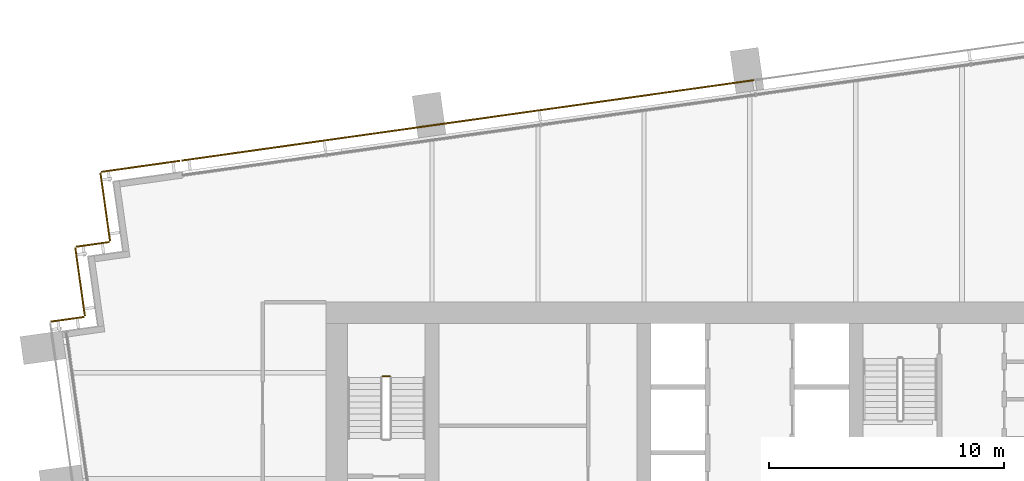
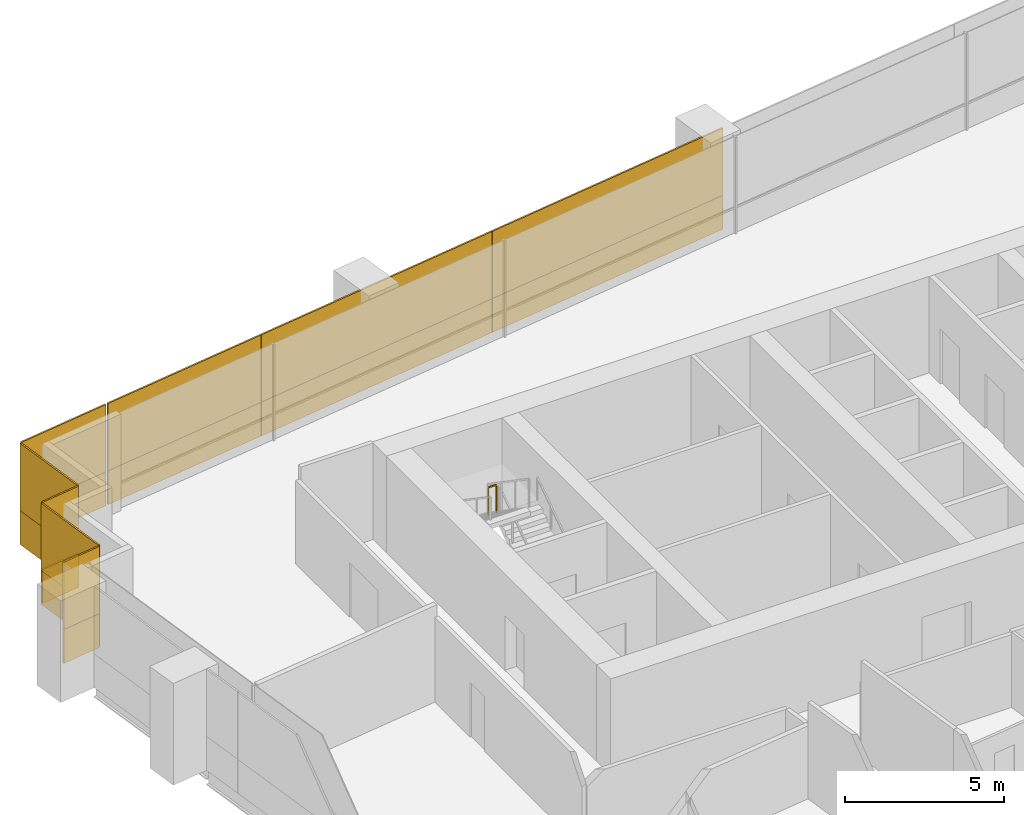
# One storey, part 17 of 18: 16 coverings, 1 railing.
"""IFC4 building model written with IfcOpenShell, lengths in metres."""

from ifc_helpers import new_model, si_unit, direction, frame, origin, origin_2d, place, context, subcontext, project, spatial, rectangle, extrude, material, layer, layer_set, type_object, element, save


model = new_model("IFC4")

# Units and contexts
model_context = context("Model", 3, precision=1e-05, world=origin(), true_north=direction((0.0, 1.0)))
body_context = subcontext(model_context, "Body", "Model", "MODEL_VIEW")
ifc_project = project(units=[si_unit("LENGTHUNIT", "METRE"), si_unit("AREAUNIT", "SQUARE_METRE"), si_unit("VOLUMEUNIT", "CUBIC_METRE"), si_unit("PLANEANGLEUNIT", "RADIAN"), si_unit("MASSUNIT", "GRAM", prefix="KILO")], contexts=[model_context])

# Site, building, storey
site_placement = place(None, origin())
site = spatial("IfcSite", under=ifc_project, at=site_placement, CompositionType="ELEMENT")
building_placement = place(site_placement, origin())
building = spatial("IfcBuilding", under=site, at=building_placement, Name="Rattan Terrace Tower", CompositionType="ELEMENT")
storey_placement = place(building_placement, frame((0.0, 0.0, 188.0)))
storey = spatial("IfcBuildingStorey", under=building, at=storey_placement, Name="L43", CompositionType="ELEMENT", Elevation=188.0)

# Railing
ifc_material_1 = material(Name="Powder-coated steel guard", Category="steel")
railing_type = type_object("IfcRailingType", Name="Core stair guard", PredefinedType="GUARDRAIL", material=ifc_material_1)
railing_placement = place(storey_placement, frame((-15.300048828125, 4.35009765625, 1.949951171875)))
element("IfcRailing", 1, at=railing_placement, inside=storey, type_object=railing_type, Name="L43 S1 stair guard 2", PredefinedType="GUARDRAIL", context=body_context, shape_type="SweptSolid", body=[
    extrude(rectangle(XDim=0.048095703125, YDim=0.048095703125, at=origin_2d()), frame((0.0, 0.0, 1.076171875), z_axis=(-1.0, 0.0, 0.0), x_axis=(0.0, -1.0, 0.0)), (0.0, 0.0, 1.0), 0.300048828125),
    extrude(rectangle(XDim=0.0419921875, YDim=0.0419921875, at=origin_2d()), origin(), (0.0, 0.0, 1.0), 1.052001953125),
    extrude(rectangle(XDim=0.0419921875, YDim=0.0419921875, at=origin_2d()), frame((-0.300048828125, 0.0, 0.0)), (0.0, 0.0, 1.0), 1.052001953125),
])

# Coverings
ifc_material_2 = material(Name="Solid terracotta", Category="masonry")
ifc_layer_1 = layer(ifc_material_2, 0.06005859375)
ifc_layer_set_1 = layer_set([ifc_layer_1], Name="Facade Terracotta Band Panel")
covering_type_1 = type_object("IfcCoveringType", Name="Facade Terracotta Band Panel", PredefinedType="CLADDING", material=ifc_layer_set_1)
for number, where, z_axis, x_axis, name in (
    (2, (-4.39794921875, 16.285400390625, -0.18994140625), (0.0, 0.0, 1.0), (-0.990269702686, -0.139161474347, 0.0), "OUTER SKIN panel L43-17A"),
    (3, (-13.521484375, 15.003173828125, -0.18994140625), (0.0, 0.0, 1.0), (-0.990269702686, -0.139161474347, 0.0), "OUTER SKIN panel L43-18A"),
):
    element("IfcCovering", number, at=place(storey_placement, frame(where, z_axis=z_axis, x_axis=x_axis)), inside=storey, type_object=covering_type_1, Name=name, PredefinedType="CLADDING", context=body_context, shape_type="SweptSolid", body=[
        extrude(rectangle(XDim=9.193115234375, YDim=0.06005859375, at=origin_2d()), origin(), (0.0, 0.0, 1.0), 1.300048828125),
    ])
covering_1_placement = place(storey_placement, frame((-21.112548828125, 13.9365234375, -0.18994140625), z_axis=(0.0, 0.0, 1.0), x_axis=(-0.990269702686, -0.139161474347, 0.0)))
element("IfcCovering", 4, at=covering_1_placement, inside=storey, type_object=covering_type_1, Name="OUTER SKIN panel L43-19A", PredefinedType="CLADDING", context=body_context, shape_type="SweptSolid", body=[
    extrude(rectangle(XDim=6.098388671875, YDim=0.06005859375, at=origin_2d()), origin(), (0.0, 0.0, 1.0), 1.300048828125),
])
covering_2_placement = place(storey_placement, frame((-25.8798828125, 13.266357421875, -0.18994140625), z_axis=(0.0, 0.0, 1.0), x_axis=(-0.990247240581, -0.139321220646, 0.0)))
element("IfcCovering", 5, at=covering_2_placement, inside=storey, type_object=covering_type_1, Name="OUTER SKIN panel L43-20A", PredefinedType="CLADDING", context=body_context, shape_type="SweptSolid", body=[
    extrude(rectangle(XDim=3.370361328125, YDim=0.06005859375, at=origin_2d()), origin(), (0.0, 0.0, 1.0), 1.300048828125),
])
covering_3_placement = place(storey_placement, frame((-27.37939453125, 11.54052734375, -0.18994140625), z_axis=(0.0, 0.0, 1.0), x_axis=(0.139321220646, -0.990247240581, 0.0)))
element("IfcCovering", 6, at=covering_3_placement, inside=storey, type_object=covering_type_1, Name="OUTER SKIN panel L43-21A", PredefinedType="CLADDING", context=body_context, shape_type="SweptSolid", body=[
    extrude(rectangle(XDim=2.919921875, YDim=0.06005859375, at=origin_2d()), origin(), (0.0, 0.0, 1.0), 1.300048828125),
])
covering_4_placement = place(storey_placement, frame((-27.913330078125, 9.951171875, -0.18994140625), z_axis=(0.0, 0.0, 1.0), x_axis=(-0.990345406709, -0.138621698915, 0.0)))
element("IfcCovering", 7, at=covering_4_placement, inside=storey, type_object=covering_type_1, Name="OUTER SKIN panel L43-22A", PredefinedType="CLADDING", context=body_context, shape_type="SweptSolid", body=[
    extrude(rectangle(XDim=1.42041015625, YDim=0.06005859375, at=origin_2d()), origin(), (0.0, 0.0, 1.0), 1.300048828125),
])
covering_5_placement = place(storey_placement, frame((-28.447265625, 8.361572265625, -0.18994140625), z_axis=(0.0, 0.0, 1.0), x_axis=(0.139321220646, -0.990247240581, 0.0)))
element("IfcCovering", 8, at=covering_5_placement, inside=storey, type_object=covering_type_1, Name="OUTER SKIN panel L43-23A", PredefinedType="CLADDING", context=body_context, shape_type="SweptSolid", body=[
    extrude(rectangle(XDim=2.920654296875, YDim=0.06005859375, at=origin_2d()), origin(), (0.0, 0.0, 1.0), 1.300048828125),
])
covering_6_placement = place(storey_placement, frame((-28.981201171875, 6.771484375, -0.18994140625), z_axis=(0.0, 0.0, 1.0), x_axis=(-0.99025370695, -0.139275252184, 0.0)))
element("IfcCovering", 9, at=covering_6_placement, inside=storey, type_object=covering_type_1, Name="OUTER SKIN panel L43-24A", PredefinedType="CLADDING", context=body_context, shape_type="SweptSolid", body=[
    extrude(rectangle(XDim=1.420654296875, YDim=0.06005859375, at=origin_2d()), origin(), (0.0, 0.0, 1.0), 1.300048828125),
])
ifc_material_3 = material(Name="Perforated terracotta", Category="masonry")
ifc_layer_2 = layer(ifc_material_3, 0.06005859375)
ifc_layer_set_2 = layer_set([ifc_layer_2], Name="Facade Terracotta Screen Panel")
covering_type_2 = type_object("IfcCoveringType", Name="Facade Terracotta Screen Panel", PredefinedType="CLADDING", material=ifc_layer_set_2)
for number, where, z_axis, x_axis, name in (
    (10, (-4.39794921875, 16.285400390625, 1.10986328125), (0.0, 0.0, 1.0), (-0.990269702686, -0.139161474347, 0.0), "OUTER SKIN panel L43-17B"),
    (11, (-13.521484375, 15.003173828125, 1.10986328125), (0.0, 0.0, 1.0), (-0.990269702686, -0.139161474347, 0.0), "OUTER SKIN panel L43-18B"),
):
    element("IfcCovering", number, at=place(storey_placement, frame(where, z_axis=z_axis, x_axis=x_axis)), inside=storey, type_object=covering_type_2, Name=name, PredefinedType="CLADDING", context=body_context, shape_type="SweptSolid", body=[
        extrude(rectangle(XDim=9.193115234375, YDim=0.06005859375, at=origin_2d()), origin(), (0.0, 0.0, 1.0), 2.580078125),
    ])
covering_7_placement = place(storey_placement, frame((-21.112548828125, 13.9365234375, 1.10986328125), z_axis=(0.0, 0.0, 1.0), x_axis=(-0.990269702686, -0.139161474347, 0.0)))
element("IfcCovering", 12, at=covering_7_placement, inside=storey, type_object=covering_type_2, Name="OUTER SKIN panel L43-19B", PredefinedType="CLADDING", context=body_context, shape_type="SweptSolid", body=[
    extrude(rectangle(XDim=6.098388671875, YDim=0.06005859375, at=origin_2d()), origin(), (0.0, 0.0, 1.0), 2.580078125),
])
covering_8_placement = place(storey_placement, frame((-25.8798828125, 13.266357421875, 1.10986328125), z_axis=(0.0, 0.0, 1.0), x_axis=(-0.990247240581, -0.139321220646, 0.0)))
element("IfcCovering", 13, at=covering_8_placement, inside=storey, type_object=covering_type_2, Name="OUTER SKIN panel L43-20B", PredefinedType="CLADDING", context=body_context, shape_type="SweptSolid", body=[
    extrude(rectangle(XDim=3.370361328125, YDim=0.06005859375, at=origin_2d()), origin(), (0.0, 0.0, 1.0), 2.580078125),
])
covering_9_placement = place(storey_placement, frame((-27.37939453125, 11.54052734375, 1.10986328125), z_axis=(0.0, 0.0, 1.0), x_axis=(0.139321220646, -0.990247240581, 0.0)))
element("IfcCovering", 14, at=covering_9_placement, inside=storey, type_object=covering_type_2, Name="OUTER SKIN panel L43-21B", PredefinedType="CLADDING", context=body_context, shape_type="SweptSolid", body=[
    extrude(rectangle(XDim=2.919921875, YDim=0.06005859375, at=origin_2d()), origin(), (0.0, 0.0, 1.0), 2.580078125),
])
covering_10_placement = place(storey_placement, frame((-27.913330078125, 9.951171875, 1.10986328125), z_axis=(0.0, 0.0, 1.0), x_axis=(-0.990345406709, -0.138621698915, 0.0)))
element("IfcCovering", 15, at=covering_10_placement, inside=storey, type_object=covering_type_2, Name="OUTER SKIN panel L43-22B", PredefinedType="CLADDING", context=body_context, shape_type="SweptSolid", body=[
    extrude(rectangle(XDim=1.42041015625, YDim=0.06005859375, at=origin_2d()), origin(), (0.0, 0.0, 1.0), 2.580078125),
])
covering_11_placement = place(storey_placement, frame((-28.447265625, 8.361572265625, 1.10986328125), z_axis=(0.0, 0.0, 1.0), x_axis=(0.139321220646, -0.990247240581, 0.0)))
element("IfcCovering", 16, at=covering_11_placement, inside=storey, type_object=covering_type_2, Name="OUTER SKIN panel L43-23B", PredefinedType="CLADDING", context=body_context, shape_type="SweptSolid", body=[
    extrude(rectangle(XDim=2.920654296875, YDim=0.06005859375, at=origin_2d()), origin(), (0.0, 0.0, 1.0), 2.580078125),
])
covering_12_placement = place(storey_placement, frame((-28.981201171875, 6.771484375, 1.10986328125), z_axis=(0.0, 0.0, 1.0), x_axis=(-0.99025370695, -0.139275252184, 0.0)))
element("IfcCovering", 17, at=covering_12_placement, inside=storey, type_object=covering_type_2, Name="OUTER SKIN panel L43-24B", PredefinedType="CLADDING", context=body_context, shape_type="SweptSolid", body=[
    extrude(rectangle(XDim=1.420654296875, YDim=0.06005859375, at=origin_2d()), origin(), (0.0, 0.0, 1.0), 2.580078125),
])

save(model, "model.ifc")
